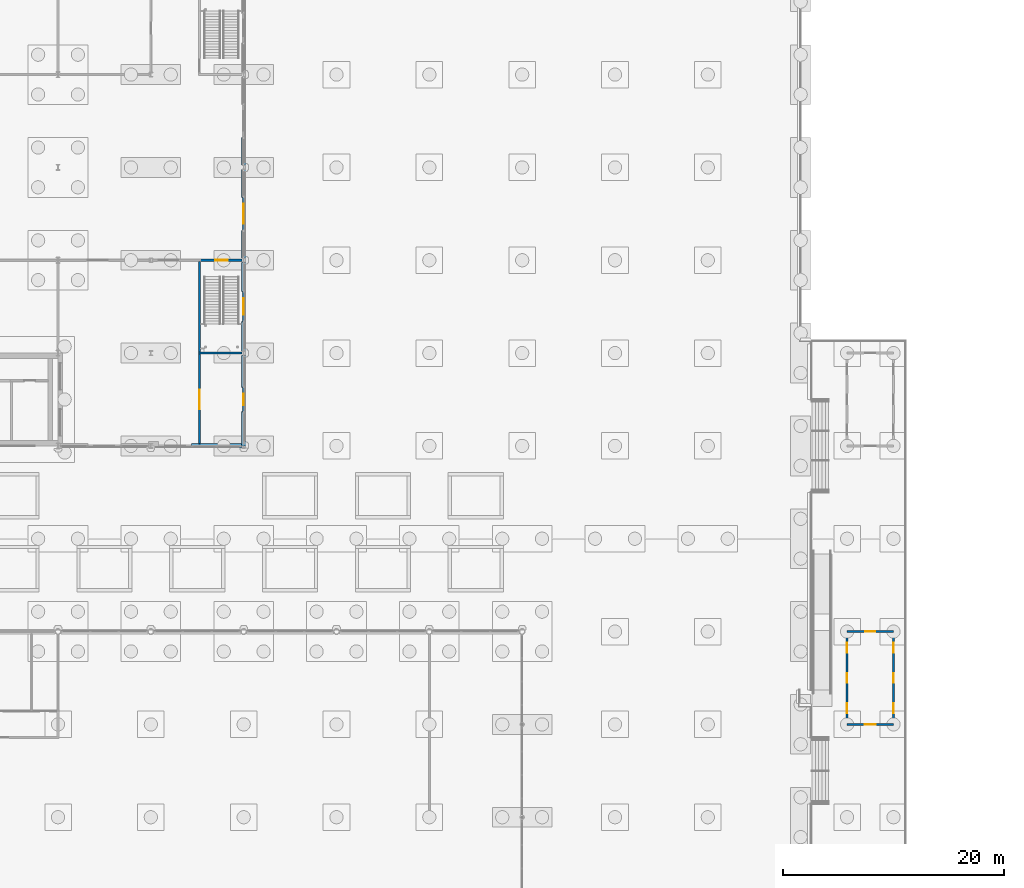
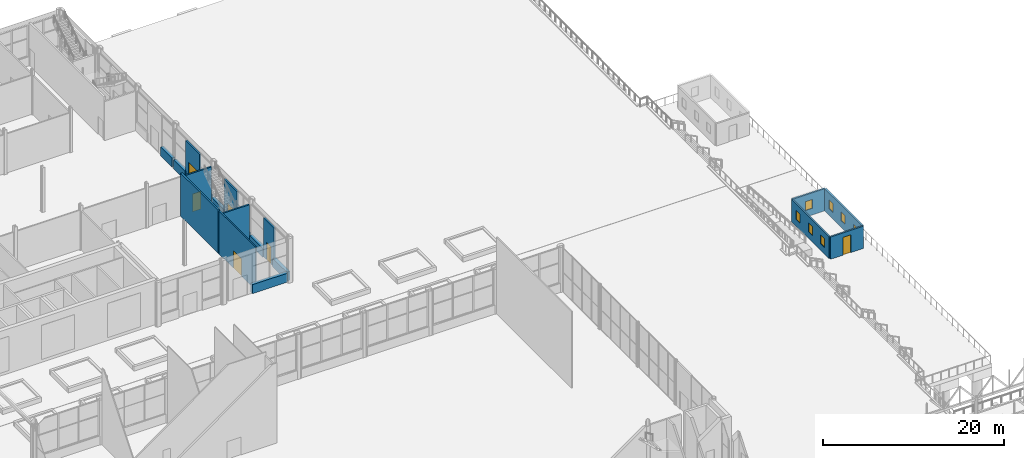
# One storey, part 188 of 212: 19 walls, 7 windows, 6 doors, 13 openings.
"""IFC4 building model written with IfcOpenShell, lengths in metres."""

from ifc_helpers import new_model, si_unit, direction, frame, frame_2d, origin, place, context, subcontext, project, spatial, rectangle, extrude, material, layer, layer_set, type_object, element, fill, save


model = new_model("IFC4")

# Units and contexts
model_context = context("Model", 3, precision=1e-05, world=origin(), true_north=direction((0.0, 1.0)))
body_context = subcontext(model_context, "Body", "Model", "MODEL_VIEW")
ifc_project = project(units=[si_unit("LENGTHUNIT", "METRE"), si_unit("AREAUNIT", "SQUARE_METRE"), si_unit("VOLUMEUNIT", "CUBIC_METRE"), si_unit("PLANEANGLEUNIT", "RADIAN"), si_unit("MASSUNIT", "GRAM", prefix="KILO")], contexts=[model_context])

# Site, building, storey
site_placement = place(None, origin())
site = spatial("IfcSite", under=ifc_project, at=site_placement, CompositionType="ELEMENT")
building_placement = place(site_placement, origin())
building = spatial("IfcBuilding", under=site, at=building_placement, Name="Catenary Quay Ferry Terminal", CompositionType="ELEMENT")
storey_placement = place(building_placement, origin())
storey = spatial("IfcBuildingStorey", under=building, at=storey_placement, Name="L00", CompositionType="ELEMENT", Elevation=0.0)

# Walls
ifc_material_1 = material(Name="Masonry and insulation", Category="masonry")
ifc_layer_1 = layer(ifc_material_1, 0.39990234375)
ifc_layer_set_1 = layer_set([ifc_layer_1], Name="EW14")
wall_type_1 = type_object("IfcWallType", Name="EW14", PredefinedType="SOLIDWALL", material=ifc_layer_set_1)
wall_1_placement = place(storey_placement, frame((67.199951171875, 159.60009765625, 0.0), z_axis=(0.0, 0.0, 1.0), x_axis=(0.0, 1.0, 0.0)))
element("IfcWall", 1, at=wall_1_placement, inside=storey, type_object=wall_type_1, Name="Plinth wing wall WL32", PredefinedType="SOLIDWALL", context=body_context, shape_type="SweptSolid", body=[
    extrude(rectangle(XDim=3.099853515625, YDim=0.39990234375, at=frame_2d((1.5498046875, 0.0))), origin(), (0.0, 0.0, 1.0), 1.199951171875),
])
wall_2_placement = place(storey_placement, frame((67.199951171875, 164.89990234375, 0.0), z_axis=(0.0, 0.0, 1.0), x_axis=(0.0, 1.0, 0.0)))
element("IfcWall", 2, at=wall_2_placement, inside=storey, type_object=wall_type_1, Name="Plinth wing wall WL33", PredefinedType="SOLIDWALL", context=body_context, shape_type="SweptSolid", body=[
    extrude(rectangle(XDim=2.900146484375, YDim=0.39990234375, at=frame_2d((1.4501953125, 0.0))), origin(), (0.0, 0.0, 1.0), 1.199951171875),
])
wall_3_placement = place(storey_placement, frame((67.199951171875, 168.199951171875, 0.0), z_axis=(0.0, 0.0, 1.0), x_axis=(0.0, 1.0, 0.0)))
element("IfcWall", 3, at=wall_3_placement, inside=storey, type_object=wall_type_1, Name="Plinth wing wall WL35", PredefinedType="SOLIDWALL", context=body_context, shape_type="SweptSolid", body=[
    extrude(rectangle(XDim=2.650146484375, YDim=0.39990234375, at=frame_2d((1.3251953125, 0.0))), origin(), (0.0, 0.0, 1.0), 1.199951171875),
])
wall_4_placement = place(storey_placement, frame((67.199951171875, 173.550048828125, 0.0), z_axis=(0.0, 0.0, 1.0), x_axis=(0.0, 1.0, 0.0)))
element("IfcWall", 4, at=wall_4_placement, inside=storey, type_object=wall_type_1, Name="Plinth wing wall WL36", PredefinedType="SOLIDWALL", context=body_context, shape_type="SweptSolid", body=[
    extrude(rectangle(XDim=2.64990234375, YDim=0.39990234375, at=frame_2d((1.324951171875, 0.0))), origin(), (0.0, 0.0, 1.0), 1.199951171875),
])
for number, where, z_axis, x_axis, name in (
    (5, (67.199951171875, 176.60009765625, 0.0), (0.0, 0.0, 1.0), (0.0, 1.0, 0.0), "Plinth wing wall WL38"),
    (6, (67.199951171875, 182.10009765625, 0.0), (0.0, 0.0, 1.0), (0.0, 1.0, 0.0), "Plinth wing wall WL39"),
    (7, (67.199951171875, 185.0, 0.0), (0.0, 0.0, 1.0), (0.0, 1.0, 0.0), "Plinth wing wall WL41"),
):
    element("IfcWall", number, at=place(storey_placement, frame(where, z_axis=z_axis, x_axis=x_axis)), inside=storey, type_object=wall_type_1, Name=name, PredefinedType="SOLIDWALL", context=body_context, shape_type="SweptSolid", body=[
        extrude(rectangle(XDim=2.5, YDim=0.39990234375, at=frame_2d((1.25, 0.0))), origin(), (0.0, 0.0, 1.0), 1.199951171875),
    ])
wall_5_placement = place(storey_placement, frame((62.5, 159.60009765625, 0.0), z_axis=(0.0, 0.0, 1.0), x_axis=(1.0, 0.0, 0.0)))
element("IfcWall", 8, at=wall_5_placement, inside=storey, type_object=wall_type_1, Name="Plinth wing wall WL65", PredefinedType="SOLIDWALL", context=body_context, shape_type="SweptSolid", body=[
    extrude(rectangle(XDim=4.5, YDim=0.39990234375, at=frame_2d((2.25, 0.0))), origin(), (0.0, 0.0, 1.0), 1.199951171875),
])

# Wall, opening, door
ifc_material_2 = material(Name="Masonry and insulation", Category="masonry")
ifc_layer_2 = layer(ifc_material_2, 0.199951171875)
ifc_layer_set_2 = layer_set([ifc_layer_2], Name="EW3")
wall_type_2 = type_object("IfcWallType", Name="EW3", PredefinedType="SOLIDWALL", material=ifc_layer_set_2)
wall_6_placement = place(storey_placement, frame((121.800048828125, 134.39990234375, -0.89990234375), z_axis=(0.0, 0.0, 1.0), x_axis=(1.0, 0.0, 0.0)))
wall_6 = element("IfcWall", 9, at=wall_6_placement, inside=storey, type_object=wall_type_2, Name="Riverside Cafe wall", PredefinedType="SOLIDWALL", context=body_context, shape_type="SweptSolid", body=[
    extrude(rectangle(XDim=4.199951171875, YDim=0.199951171875, at=frame_2d((2.10009765625, 0.0))), origin(), (0.0, 0.0, 1.0), 3.0),
])
opening_1_placement = place(wall_6_placement, frame((1.60009765625, 0.0, 0.0)))
opening_1 = element("IfcOpeningElement", 10, at=opening_1_placement, cuts=wall_6, Name="Opening D244", PredefinedType="OPENING", context=body_context, shape_type="SweptSolid", body=[
    extrude(rectangle(XDim=1.0, YDim=2.39990234375, at=frame_2d((0.5, 1.199951171875))), frame((0.0, 0.10986328125, 0.0), z_axis=(0.0, -1.0, 0.0), x_axis=(1.0, 0.0, 0.0)), (0.0, 0.0, 1.0), 0.219970703125),
])
ifc_material_3 = material(Name="Aluminium and glass", Category="aluminium")
door_type_1 = type_object("IfcDoorType", Name="DX13", OperationType="SINGLE_SWING_LEFT", PredefinedType="DOOR", material=ifc_material_3)
door_1_placement = place(opening_1_placement, frame((1.0, 0.0, 0.0), z_axis=(0.0, 0.0, 1.0), x_axis=(-1.0, 0.0, 0.0)))
door_1 = element("IfcDoor", 11, at=door_1_placement, inside=storey, type_object=door_type_1, Name="Riverside Cafe entrance", OperationType="SINGLE_SWING_RIGHT", OverallHeight=2.39990234375, OverallWidth=1.0, PredefinedType="DOOR", context=body_context, shape_type="SweptSolid", body=[
    extrude(rectangle(XDim=1.0, YDim=2.39990234375, at=frame_2d((0.5, 1.199951171875))), frame((0.0, 0.02490234375, 0.0), z_axis=(0.0, -1.0, 0.0), x_axis=(1.0, 0.0, 0.0)), (0.0, 0.0, 1.0), 0.050048828125),
])
fill(opening_1, door_1)

# Wall, opening, window
wall_7_placement = place(storey_placement, frame((121.800048828125, 142.800048828125, -0.89990234375), z_axis=(0.0, 0.0, 1.0), x_axis=(1.0, 0.0, 0.0)))
wall_7 = element("IfcWall", 12, at=wall_7_placement, inside=storey, type_object=wall_type_2, Name="Riverside Cafe wall", PredefinedType="SOLIDWALL", context=body_context, shape_type="SweptSolid", body=[
    extrude(rectangle(XDim=4.199951171875, YDim=0.199951171875, at=frame_2d((2.10009765625, 0.0))), origin(), (0.0, 0.0, 1.0), 3.0),
])
opening_2_placement = place(wall_7_placement, frame((1.64990234375, 0.0, 0.89990234375)))
opening_2 = element("IfcOpeningElement", 13, at=opening_2_placement, cuts=wall_7, Name="Opening W55", PredefinedType="OPENING", context=body_context, shape_type="SweptSolid", body=[
    extrude(rectangle(XDim=0.89990234375, YDim=1.199951171875, at=frame_2d((0.449951171875, 0.60009765625))), frame((0.0, 0.10986328125, 0.0), z_axis=(0.0, -1.0, 0.0), x_axis=(1.0, 0.0, 0.0)), (0.0, 0.0, 1.0), 0.219970703125),
])
ifc_material_4 = material(Name="Aluminium and glass", Category="aluminium")
window_type = type_object("IfcWindowType", Name="WR1", PartitioningType="SINGLE_PANEL", PredefinedType="WINDOW", material=ifc_material_4)
window_1_placement = place(opening_2_placement, origin())
window_1 = element("IfcWindow", 14, at=window_1_placement, inside=storey, type_object=window_type, Name="Riverside Cafe window", OverallHeight=1.199951171875, OverallWidth=0.89990234375, PartitioningType="SINGLE_PANEL", PredefinedType="WINDOW", context=body_context, shape_type="SweptSolid", body=[
    extrude(rectangle(XDim=0.89990234375, YDim=1.199951171875, at=frame_2d((0.449951171875, 0.60009765625))), frame((0.0, 0.030029296875, 0.0), z_axis=(0.0, -1.0, 0.0), x_axis=(1.0, 0.0, 0.0)), (0.0, 0.0, 1.0), 0.06005859375),
])
fill(opening_2, window_1)

# Wall, openings, windows
wall_8_placement = place(storey_placement, frame((121.800048828125, 134.5, -0.89990234375), z_axis=(0.0, 0.0, 1.0), x_axis=(0.0, 1.0, 0.0)))
wall_8 = element("IfcWall", 15, at=wall_8_placement, inside=storey, type_object=wall_type_2, Name="Riverside Cafe wall", PredefinedType="SOLIDWALL", context=body_context, shape_type="SweptSolid", body=[
    extrude(rectangle(XDim=8.199951171875, YDim=0.199951171875, at=frame_2d((4.10009765625, 0.0))), origin(), (0.0, 0.0, 1.0), 3.0),
])
opening_3_placement = place(wall_8_placement, frame((0.916748046875, 0.0, 0.89990234375)))
opening_3 = element("IfcOpeningElement", 16, at=opening_3_placement, cuts=wall_8, Name="Opening W59", PredefinedType="OPENING", context=body_context, shape_type="SweptSolid", body=[
    extrude(rectangle(XDim=0.89990234375, YDim=1.199951171875, at=frame_2d((0.449951171875, 0.60009765625))), frame((0.0, 0.10986328125, 0.0), z_axis=(0.0, -1.0, 0.0), x_axis=(1.0, 0.0, 0.0)), (0.0, 0.0, 1.0), 0.219970703125),
])
opening_4_placement = place(wall_8_placement, frame((3.64990234375, 0.0, 0.89990234375)))
opening_4 = element("IfcOpeningElement", 17, at=opening_4_placement, cuts=wall_8, Name="Opening W60", PredefinedType="OPENING", context=body_context, shape_type="SweptSolid", body=[
    extrude(rectangle(XDim=0.89990234375, YDim=1.199951171875, at=frame_2d((0.449951171875, 0.60009765625))), frame((0.0, 0.10986328125, 0.0), z_axis=(0.0, -1.0, 0.0), x_axis=(1.0, 0.0, 0.0)), (0.0, 0.0, 1.0), 0.219970703125),
])
opening_5_placement = place(wall_8_placement, frame((6.38330078125, 0.0, 0.89990234375)))
opening_5 = element("IfcOpeningElement", 18, at=opening_5_placement, cuts=wall_8, Name="Opening W61", PredefinedType="OPENING", context=body_context, shape_type="SweptSolid", body=[
    extrude(rectangle(XDim=0.89990234375, YDim=1.199951171875, at=frame_2d((0.449951171875, 0.60009765625))), frame((0.0, 0.10986328125, 0.0), z_axis=(0.0, -1.0, 0.0), x_axis=(1.0, 0.0, 0.0)), (0.0, 0.0, 1.0), 0.219970703125),
])
window_2_placement = place(opening_3_placement, origin())
window_2 = element("IfcWindow", 19, at=window_2_placement, inside=storey, type_object=window_type, Name="Riverside Cafe window", OverallHeight=1.199951171875, OverallWidth=0.89990234375, PartitioningType="SINGLE_PANEL", PredefinedType="WINDOW", context=body_context, shape_type="SweptSolid", body=[
    extrude(rectangle(XDim=0.89990234375, YDim=1.199951171875, at=frame_2d((0.449951171875, 0.60009765625))), frame((0.0, 0.030029296875, 0.0), z_axis=(0.0, -1.0, 0.0), x_axis=(1.0, 0.0, 0.0)), (0.0, 0.0, 1.0), 0.06005859375),
])
fill(opening_3, window_2)
window_3_placement = place(opening_4_placement, origin())
window_3 = element("IfcWindow", 20, at=window_3_placement, inside=storey, type_object=window_type, Name="Riverside Cafe window", OverallHeight=1.199951171875, OverallWidth=0.89990234375, PartitioningType="SINGLE_PANEL", PredefinedType="WINDOW", context=body_context, shape_type="SweptSolid", body=[
    extrude(rectangle(XDim=0.89990234375, YDim=1.199951171875, at=frame_2d((0.449951171875, 0.60009765625))), frame((0.0, 0.030029296875, 0.0), z_axis=(0.0, -1.0, 0.0), x_axis=(1.0, 0.0, 0.0)), (0.0, 0.0, 1.0), 0.06005859375),
])
fill(opening_4, window_3)
window_4_placement = place(opening_5_placement, origin())
window_4 = element("IfcWindow", 21, at=window_4_placement, inside=storey, type_object=window_type, Name="Riverside Cafe window", OverallHeight=1.199951171875, OverallWidth=0.89990234375, PartitioningType="SINGLE_PANEL", PredefinedType="WINDOW", context=body_context, shape_type="SweptSolid", body=[
    extrude(rectangle(XDim=0.89990234375, YDim=1.199951171875, at=frame_2d((0.449951171875, 0.60009765625))), frame((0.0, 0.030029296875, 0.0), z_axis=(0.0, -1.0, 0.0), x_axis=(1.0, 0.0, 0.0)), (0.0, 0.0, 1.0), 0.06005859375),
])
fill(opening_5, window_4)

wall_9_placement = place(storey_placement, frame((126.0, 134.5, -0.89990234375), z_axis=(0.0, 0.0, 1.0), x_axis=(0.0, 1.0, 0.0)))
wall_9 = element("IfcWall", 22, at=wall_9_placement, inside=storey, type_object=wall_type_2, Name="Riverside Cafe wall", PredefinedType="SOLIDWALL", context=body_context, shape_type="SweptSolid", body=[
    extrude(rectangle(XDim=8.199951171875, YDim=0.199951171875, at=frame_2d((4.10009765625, 0.0))), origin(), (0.0, 0.0, 1.0), 3.0),
])
opening_6_placement = place(wall_9_placement, frame((0.916748046875, 0.0, 0.89990234375)))
opening_6 = element("IfcOpeningElement", 23, at=opening_6_placement, cuts=wall_9, Name="Opening W56", PredefinedType="OPENING", context=body_context, shape_type="SweptSolid", body=[
    extrude(rectangle(XDim=0.89990234375, YDim=1.199951171875, at=frame_2d((0.449951171875, 0.60009765625))), frame((0.0, 0.10986328125, 0.0), z_axis=(0.0, -1.0, 0.0), x_axis=(1.0, 0.0, 0.0)), (0.0, 0.0, 1.0), 0.219970703125),
])
opening_7_placement = place(wall_9_placement, frame((3.64990234375, 0.0, 0.89990234375)))
opening_7 = element("IfcOpeningElement", 24, at=opening_7_placement, cuts=wall_9, Name="Opening W57", PredefinedType="OPENING", context=body_context, shape_type="SweptSolid", body=[
    extrude(rectangle(XDim=0.89990234375, YDim=1.199951171875, at=frame_2d((0.449951171875, 0.60009765625))), frame((0.0, 0.10986328125, 0.0), z_axis=(0.0, -1.0, 0.0), x_axis=(1.0, 0.0, 0.0)), (0.0, 0.0, 1.0), 0.219970703125),
])
opening_8_placement = place(wall_9_placement, frame((6.38330078125, 0.0, 0.89990234375)))
opening_8 = element("IfcOpeningElement", 25, at=opening_8_placement, cuts=wall_9, Name="Opening W58", PredefinedType="OPENING", context=body_context, shape_type="SweptSolid", body=[
    extrude(rectangle(XDim=0.89990234375, YDim=1.199951171875, at=frame_2d((0.449951171875, 0.60009765625))), frame((0.0, 0.10986328125, 0.0), z_axis=(0.0, -1.0, 0.0), x_axis=(1.0, 0.0, 0.0)), (0.0, 0.0, 1.0), 0.219970703125),
])
window_5_placement = place(opening_6_placement, origin())
window_5 = element("IfcWindow", 26, at=window_5_placement, inside=storey, type_object=window_type, Name="Riverside Cafe window", OverallHeight=1.199951171875, OverallWidth=0.89990234375, PartitioningType="SINGLE_PANEL", PredefinedType="WINDOW", context=body_context, shape_type="SweptSolid", body=[
    extrude(rectangle(XDim=0.89990234375, YDim=1.199951171875, at=frame_2d((0.449951171875, 0.60009765625))), frame((0.0, 0.030029296875, 0.0), z_axis=(0.0, -1.0, 0.0), x_axis=(1.0, 0.0, 0.0)), (0.0, 0.0, 1.0), 0.06005859375),
])
fill(opening_6, window_5)
window_6_placement = place(opening_7_placement, origin())
window_6 = element("IfcWindow", 27, at=window_6_placement, inside=storey, type_object=window_type, Name="Riverside Cafe window", OverallHeight=1.199951171875, OverallWidth=0.89990234375, PartitioningType="SINGLE_PANEL", PredefinedType="WINDOW", context=body_context, shape_type="SweptSolid", body=[
    extrude(rectangle(XDim=0.89990234375, YDim=1.199951171875, at=frame_2d((0.449951171875, 0.60009765625))), frame((0.0, 0.030029296875, 0.0), z_axis=(0.0, -1.0, 0.0), x_axis=(1.0, 0.0, 0.0)), (0.0, 0.0, 1.0), 0.06005859375),
])
fill(opening_7, window_6)
window_7_placement = place(opening_8_placement, origin())
window_7 = element("IfcWindow", 28, at=window_7_placement, inside=storey, type_object=window_type, Name="Riverside Cafe window", OverallHeight=1.199951171875, OverallWidth=0.89990234375, PartitioningType="SINGLE_PANEL", PredefinedType="WINDOW", context=body_context, shape_type="SweptSolid", body=[
    extrude(rectangle(XDim=0.89990234375, YDim=1.199951171875, at=frame_2d((0.449951171875, 0.60009765625))), frame((0.0, 0.030029296875, 0.0), z_axis=(0.0, -1.0, 0.0), x_axis=(1.0, 0.0, 0.0)), (0.0, 0.0, 1.0), 0.06005859375),
])
fill(opening_8, window_7)

# Wall, opening, door
ifc_material_5 = material(Name="Masonry and insulation", Category="masonry")
ifc_layer_3 = layer(ifc_material_5, 0.199951171875)
ifc_layer_set_3 = layer_set([ifc_layer_3], Name="EW6")
wall_type_3 = type_object("IfcWallType", Name="EW6", PredefinedType="SOLIDWALL", material=ifc_layer_set_3)
wall_10_placement = place(storey_placement, frame((67.199951171875, 162.635009765625, 0.0), z_axis=(0.0, 0.0, 1.0), x_axis=(0.0, 1.0, 0.0)))
wall_10 = element("IfcWall", 29, at=wall_10_placement, inside=storey, type_object=wall_type_3, Name="Front wing wall WL34", PredefinedType="SOLIDWALL", context=body_context, shape_type="SweptSolid", body=[
    extrude(rectangle(XDim=2.330078125, YDim=0.199951171875, at=frame_2d((1.1650390625, 0.0))), origin(), (0.0, 0.0, 1.0), 5.271728515625),
])
opening_9_placement = place(wall_10_placement, frame((0.6650390625, 0.0, 0.0)))
opening_9 = element("IfcOpeningElement", 30, at=opening_9_placement, cuts=wall_10, Name="Opening D14", PredefinedType="OPENING", context=body_context, shape_type="SweptSolid", body=[
    extrude(rectangle(XDim=1.0, YDim=2.39990234375, at=frame_2d((0.5, 1.199951171875))), frame((0.0, 0.10986328125, 0.0), z_axis=(0.0, -1.0, 0.0), x_axis=(1.0, 0.0, 0.0)), (0.0, 0.0, 1.0), 0.219970703125),
])
ifc_material_6 = material(Name="Steel", Category="steel")
door_type_2 = type_object("IfcDoorType", Name="DXS1000", OperationType="SINGLE_SWING_LEFT", PredefinedType="DOOR", material=ifc_material_6)
door_2_placement = place(opening_9_placement, frame((1.0, 0.0, 0.0), z_axis=(0.0, 0.0, 1.0), x_axis=(-1.0, 0.0, 0.0)))
door_2 = element("IfcDoor", 31, at=door_2_placement, inside=storey, type_object=door_type_2, Name="Front wing door D14", OperationType="SINGLE_SWING_RIGHT", OverallHeight=2.39990234375, OverallWidth=1.0, PredefinedType="DOOR", context=body_context, shape_type="SweptSolid", body=[
    extrude(rectangle(XDim=1.0, YDim=2.39990234375, at=frame_2d((0.5, 1.199951171875))), frame((0.0, 0.02490234375, 0.0), z_axis=(0.0, -1.0, 0.0), x_axis=(1.0, 0.0, 0.0)), (0.0, 0.0, 1.0), 0.050048828125),
])
fill(opening_9, door_2)

wall_11_placement = place(storey_placement, frame((67.199951171875, 170.784912109375, 0.0), z_axis=(0.0, 0.0, 1.0), x_axis=(0.0, 1.0, 0.0)))
wall_11 = element("IfcWall", 32, at=wall_11_placement, inside=storey, type_object=wall_type_3, Name="Front wing wall WL37", PredefinedType="SOLIDWALL", context=body_context, shape_type="SweptSolid", body=[
    extrude(rectangle(XDim=2.830078125, YDim=0.199951171875, at=frame_2d((1.4150390625, 0.0))), origin(), (0.0, 0.0, 1.0), 5.271728515625),
])
opening_10_placement = place(wall_11_placement, frame((0.6650390625, 0.0, 0.0)))
opening_10 = element("IfcOpeningElement", 33, at=opening_10_placement, cuts=wall_11, Name="Opening D15", PredefinedType="OPENING", context=body_context, shape_type="SweptSolid", body=[
    extrude(rectangle(XDim=1.5, YDim=2.39990234375, at=frame_2d((0.75, 1.199951171875))), frame((0.0, 0.10986328125, 0.0), z_axis=(0.0, -1.0, 0.0), x_axis=(1.0, 0.0, 0.0)), (0.0, 0.0, 1.0), 0.219970703125),
])
ifc_material_7 = material(Name="Steel", Category="steel")
door_type_3 = type_object("IfcDoorType", Name="DXE1500", OperationType="SINGLE_SWING_LEFT", PredefinedType="DOOR", material=ifc_material_7)
door_3_placement = place(opening_10_placement, frame((1.5, 0.0, 0.0), z_axis=(0.0, 0.0, 1.0), x_axis=(-1.0, 0.0, 0.0)))
door_3 = element("IfcDoor", 34, at=door_3_placement, inside=storey, type_object=door_type_3, Name="Front wing door D15", OperationType="SINGLE_SWING_RIGHT", OverallHeight=2.39990234375, OverallWidth=1.5, PredefinedType="DOOR", context=body_context, shape_type="SweptSolid", body=[
    extrude(rectangle(XDim=1.5, YDim=2.39990234375, at=frame_2d((0.75, 1.199951171875))), frame((0.0, 0.02490234375, 0.0), z_axis=(0.0, -1.0, 0.0), x_axis=(1.0, 0.0, 0.0)), (0.0, 0.0, 1.0), 0.050048828125),
])
fill(opening_10, door_3)

wall_12_placement = place(storey_placement, frame((67.199951171875, 179.034912109375, 0.0), z_axis=(0.0, 0.0, 1.0), x_axis=(0.0, 1.0, 0.0)))
wall_12 = element("IfcWall", 35, at=wall_12_placement, inside=storey, type_object=wall_type_3, Name="Front wing wall WL40", PredefinedType="SOLIDWALL", context=body_context, shape_type="SweptSolid", body=[
    extrude(rectangle(XDim=3.130126953125, YDim=0.199951171875, at=frame_2d((1.56494140625, 0.0))), origin(), (0.0, 0.0, 1.0), 5.271728515625),
])
opening_11_placement = place(wall_12_placement, frame((0.6650390625, 0.0, 0.0)))
opening_11 = element("IfcOpeningElement", 36, at=opening_11_placement, cuts=wall_12, Name="Opening D16", PredefinedType="OPENING", context=body_context, shape_type="SweptSolid", body=[
    extrude(rectangle(XDim=1.800048828125, YDim=2.699951171875, at=frame_2d((0.89990234375, 1.35009765625))), frame((0.0, 0.10986328125, 0.0), z_axis=(0.0, -1.0, 0.0), x_axis=(1.0, 0.0, 0.0)), (0.0, 0.0, 1.0), 0.219970703125),
])
ifc_material_8 = material(Name="Aluminium and glass", Category="aluminium")
door_type_4 = type_object("IfcDoorType", Name="DXH1800", OperationType="DOUBLE_DOOR_DOUBLE_SWING", PredefinedType="DOOR", material=ifc_material_8)
door_4_placement = place(opening_11_placement, frame((1.800048828125, 0.0, 0.0), z_axis=(0.0, 0.0, 1.0), x_axis=(-1.0, 0.0, 0.0)))
door_4 = element("IfcDoor", 37, at=door_4_placement, inside=storey, type_object=door_type_4, Name="Front wing door D16", OperationType="DOUBLE_DOOR_DOUBLE_SWING", OverallHeight=2.699951171875, OverallWidth=1.800048828125, PredefinedType="DOOR", context=body_context, shape_type="SweptSolid", body=[
    extrude(rectangle(XDim=1.800048828125, YDim=2.699951171875, at=frame_2d((0.89990234375, 1.35009765625))), frame((0.0, 0.02490234375, 0.0), z_axis=(0.0, -1.0, 0.0), x_axis=(1.0, 0.0, 0.0)), (0.0, 0.0, 1.0), 0.050048828125),
])
fill(opening_11, door_4)

# Wall
ifc_material_9 = material(Name="Concrete C35/45", Category="concrete")
ifc_layer_4 = layer(ifc_material_9, 0.199951171875)
ifc_layer_set_4 = layer_set([ifc_layer_4], Name="IP12")
wall_type_4 = type_object("IfcWallType", Name="IP12", PredefinedType="PARTITIONING", material=ifc_layer_set_4)
wall_13_placement = place(storey_placement, frame((63.10009765625, 168.0, 0.0), z_axis=(0.0, 0.0, 1.0), x_axis=(1.0, 0.0, 0.0)))
element("IfcWall", 38, at=wall_13_placement, inside=storey, type_object=wall_type_4, Name="Stair wall L00 44", PredefinedType="PARTITIONING", context=body_context, shape_type="SweptSolid", body=[
    extrude(rectangle(XDim=3.949951171875, YDim=0.199951171875, at=frame_2d((1.97509765625, 0.0))), origin(), (0.0, 0.0, 1.0), 5.271728515625),
])

# Wall, opening, door
wall_14_placement = place(storey_placement, frame((63.10009765625, 176.39990234375, 0.0), z_axis=(0.0, 0.0, 1.0), x_axis=(1.0, 0.0, 0.0)))
wall_14 = element("IfcWall", 39, at=wall_14_placement, inside=storey, type_object=wall_type_4, Name="Stair wall L00 53", PredefinedType="PARTITIONING", context=body_context, shape_type="SweptSolid", body=[
    extrude(rectangle(XDim=3.949951171875, YDim=0.199951171875, at=frame_2d((1.97509765625, 0.0))), origin(), (0.0, 0.0, 1.0), 5.271728515625),
])
opening_12_placement = place(wall_14_placement, frame((1.550048828125, 0.0, 0.0)))
opening_12 = element("IfcOpeningElement", 40, at=opening_12_placement, cuts=wall_14, Name="Opening D100", PredefinedType="OPENING", context=body_context, shape_type="SweptSolid", body=[
    extrude(rectangle(XDim=1.10009765625, YDim=2.39990234375, at=frame_2d((0.550048828125, 1.199951171875))), frame((0.0, 0.10986328125, 0.0), z_axis=(0.0, -1.0, 0.0), x_axis=(1.0, 0.0, 0.0)), (0.0, 0.0, 1.0), 0.219970703125),
])
ifc_material_10 = material(Name="Steel", Category="steel")
door_type_5 = type_object("IfcDoorType", Name="DI4", OperationType="SINGLE_SWING_LEFT", PredefinedType="DOOR", material=ifc_material_10)
door_5_placement = place(opening_12_placement, frame((1.10009765625, 0.0, 0.0), z_axis=(0.0, 0.0, 1.0), x_axis=(-1.0, 0.0, 0.0)))
door_5 = element("IfcDoor", 41, at=door_5_placement, inside=storey, type_object=door_type_5, Name="Stair HS3 to East Foyer", OperationType="SINGLE_SWING_RIGHT", OverallHeight=2.39990234375, OverallWidth=1.10009765625, PredefinedType="DOOR", context=body_context, shape_type="SweptSolid", body=[
    extrude(rectangle(XDim=1.10009765625, YDim=2.39990234375, at=frame_2d((0.550048828125, 1.199951171875))), frame((0.0, 0.02490234375, 0.0), z_axis=(0.0, -1.0, 0.0), x_axis=(1.0, 0.0, 0.0)), (0.0, 0.0, 1.0), 0.050048828125),
])
fill(opening_12, door_5)

# Wall
wall_15_placement = place(storey_placement, frame((63.199951171875, 168.10009765625, 0.0), z_axis=(0.0, 0.0, 1.0), x_axis=(0.0, 1.0, 0.0)))
element("IfcWall", 42, at=wall_15_placement, inside=storey, type_object=wall_type_4, Name="Stair wall L00 105", PredefinedType="PARTITIONING", context=body_context, shape_type="SweptSolid", body=[
    extrude(rectangle(XDim=8.199951171875, YDim=0.199951171875, at=frame_2d((4.10009765625, 0.0))), origin(), (0.0, 0.0, 1.0), 5.800048828125),
])

# Wall, opening, door
ifc_material_11 = material(Name="Plasterboard on steel studs", Category="steel")
ifc_layer_5 = layer(ifc_material_11, 0.14990234375)
ifc_layer_set_5 = layer_set([ifc_layer_5], Name="IP7")
wall_type_5 = type_object("IfcWallType", Name="IP7", PredefinedType="PARTITIONING", material=ifc_layer_set_5)
wall_16_placement = place(storey_placement, frame((63.199951171875, 159.800048828125, 0.0), z_axis=(0.0, 0.0, 1.0), x_axis=(0.0, 1.0, 0.0)))
wall_16 = element("IfcWall", 43, at=wall_16_placement, inside=storey, type_object=wall_type_5, Name="Partition L00 104", PredefinedType="PARTITIONING", context=body_context, shape_type="SweptSolid", body=[
    extrude(rectangle(XDim=8.099853515625, YDim=0.14990234375, at=frame_2d((4.0498046875, 0.0))), origin(), (0.0, 0.0, 1.0), 5.800048828125),
])
opening_13_placement = place(wall_16_placement, frame((3.10009765625, 0.0, 0.0)))
opening_13 = element("IfcOpeningElement", 44, at=opening_13_placement, cuts=wall_16, Name="Opening D97", PredefinedType="OPENING", context=body_context, shape_type="SweptSolid", body=[
    extrude(rectangle(XDim=1.800048828125, YDim=2.39990234375, at=frame_2d((0.89990234375, 1.199951171875))), frame((0.0, 0.0849609375, 0.0), z_axis=(0.0, -1.0, 0.0), x_axis=(1.0, 0.0, 0.0)), (0.0, 0.0, 1.0), 0.169921875),
])
ifc_material_12 = material(Name="Aluminium and glass", Category="aluminium")
door_type_6 = type_object("IfcDoorType", Name="DI6", OperationType="DOUBLE_DOOR_SINGLE_SWING", PredefinedType="DOOR", material=ifc_material_12)
door_6_placement = place(opening_13_placement, origin())
door_6 = element("IfcDoor", 45, at=door_6_placement, inside=storey, type_object=door_type_6, Name="Cafe Servery to Wing Cafe", OperationType="DOUBLE_DOOR_SINGLE_SWING", OverallHeight=2.39990234375, OverallWidth=1.800048828125, PredefinedType="DOOR", context=body_context, shape_type="SweptSolid", body=[
    extrude(rectangle(XDim=1.800048828125, YDim=2.39990234375, at=frame_2d((0.89990234375, 1.199951171875))), frame((0.0, 0.02490234375, 0.0), z_axis=(0.0, -1.0, 0.0), x_axis=(1.0, 0.0, 0.0)), (0.0, 0.0, 1.0), 0.050048828125),
])
fill(opening_13, door_6)

save(model, "model.ifc")
